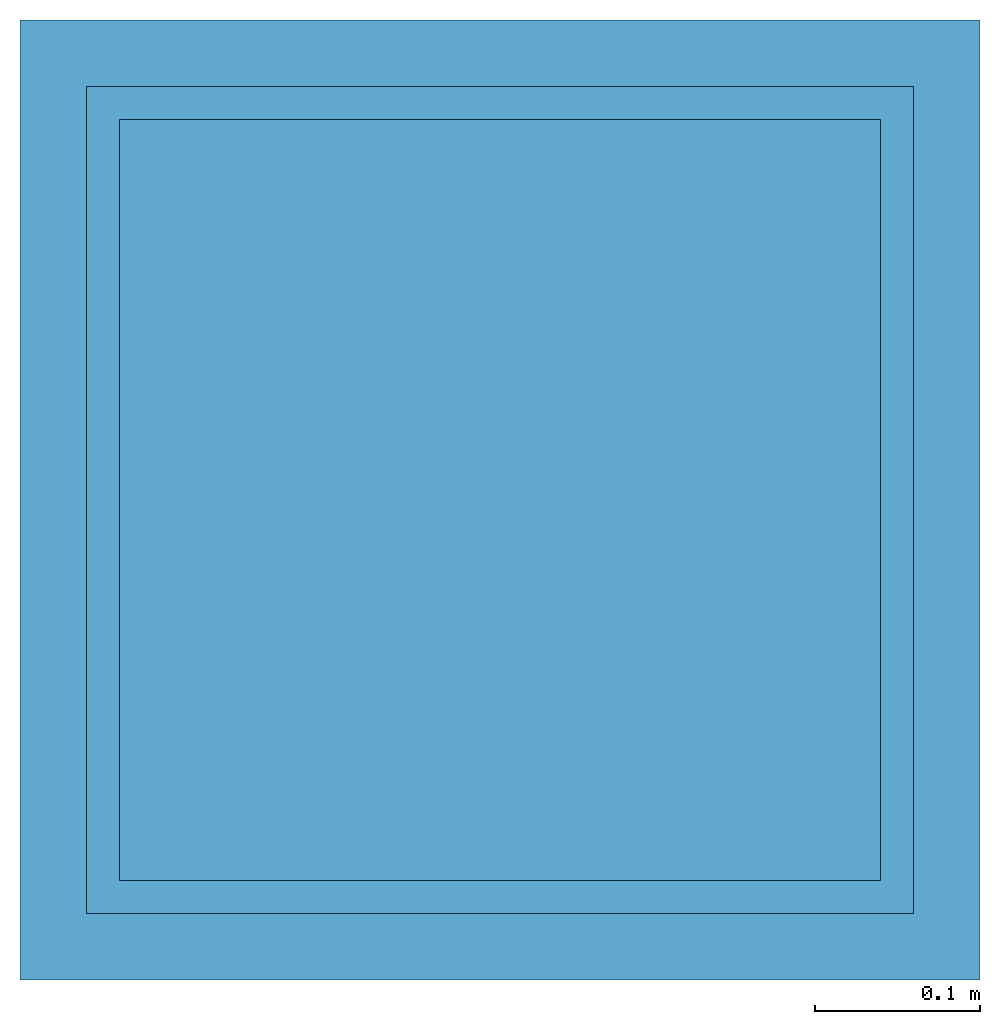
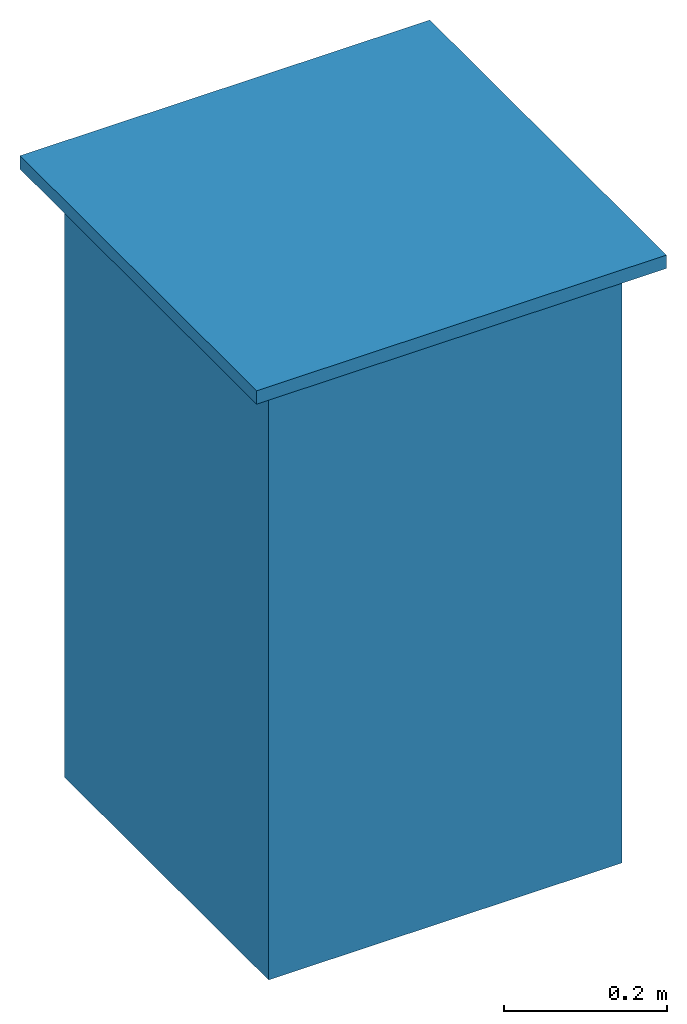
# One storey: 1 discrete accessory, 1 member.
"""IFC4 building model written with IfcOpenShell, lengths in metres."""

import ifcopenshell
import ifcopenshell.guid

model = None  # the IFC model being written
_history = None  # IfcOwnerHistory: only IFC2X3 demands one
_inside = {}  # id of a spatial element -> (the spatial element, [elements in it])
_under = {}  # id of a project, library or spatial element -> (it, [spatial elements below it])
_declared = {}  # id of a project -> (the project, [libraries it declares])
_typed = {}  # id of a type object -> (the type object, [elements of that type])
_made_of = {}  # id of a material, layer set ... -> (it, [elements and type objects made of it])


def new_model(schema):
    """Start an empty IFC model of exactly this schema.

    Asked for "IFC4X3", IfcOpenShell would pick the latest addendum, in which some entities
    have other attributes; the version numbers below select the first issue.
    IFC2X3 requires an IfcOwnerHistory on every rooted entity: one is made here for all.
    """
    global model, _history
    if schema == "IFC4X3":
        model = ifcopenshell.file(schema_version=(4, 3, 0, 0))
    else:
        model = ifcopenshell.file(schema=schema)
    _inside.clear()
    _under.clear()
    _declared.clear()
    _typed.clear()
    _made_of.clear()
    _history = None
    if model.schema == "IFC2X3":
        org = make("IfcOrganization", Name="unknown")
        user = make(
            "IfcPersonAndOrganization",
            ThePerson=make("IfcPerson", FamilyName="unknown"),
            TheOrganization=org,
        )
        app = make(
            "IfcApplication",
            ApplicationDeveloper=org,
            Version="unknown",
            ApplicationFullName="unknown",
            ApplicationIdentifier="unknown",
        )
        _history = make(
            "IfcOwnerHistory",
            OwningUser=user,
            OwningApplication=app,
            ChangeAction="ADDED",
            CreationDate=0,
        )
    return model


def make(cls, **values):
    """One entity of the class cls with the attributes given. An attribute that is None is left unset."""
    return model.create_entity(
        cls, **{name: value for name, value in values.items() if value is not None}
    )


def rooted(cls, **values):
    """An entity with a GlobalId (a new one), such as an element, a storey or a relation."""
    return make(cls, GlobalId=ifcopenshell.guid.new(), OwnerHistory=_history, **values)


def si_unit(unit_type, name, prefix=None):
    """IfcSIUnit, for example si_unit("LENGTHUNIT", "METRE", prefix="MILLI")."""
    return make("IfcSIUnit", UnitType=unit_type, Prefix=prefix, Name=name)


def assignment(units):
    """IfcUnitAssignment: the units of a project."""
    return None if units is None else make("IfcUnitAssignment", Units=units)


def point(xyz):
    """IfcCartesianPoint."""
    return None if xyz is None else make("IfcCartesianPoint", Coordinates=xyz)


def direction(xyz):
    """IfcDirection."""
    return None if xyz is None else make("IfcDirection", DirectionRatios=xyz)


def frame(location, z_axis=None, x_axis=None):
    """IfcAxis2Placement3D, a coordinate frame: its origin and axes. An axis left out is left unset."""
    return make(
        "IfcAxis2Placement3D",
        Location=point(location),
        Axis=direction(z_axis),
        RefDirection=direction(x_axis),
    )


def frame_2d(location, x_axis=None):
    """IfcAxis2Placement2D, a coordinate frame in the plane: its origin and x axis."""
    return make(
        "IfcAxis2Placement2D", Location=point(location), RefDirection=direction(x_axis)
    )


def origin():
    """The frame at (0, 0, 0) with its axes left unset."""
    return frame((0.0, 0.0, 0.0))


def origin_2d():
    """The frame at (0, 0) in the plane with its x axis left unset."""
    return frame_2d((0.0, 0.0))


def place(relative_to, where):
    """IfcLocalPlacement: puts the frame where relative to a parent placement (None: the world)."""
    return make(
        "IfcLocalPlacement", PlacementRelTo=relative_to, RelativePlacement=where
    )


def context(
    kind, dimensions, precision=None, world=None, true_north=None, identifier=None
):
    """IfcGeometricRepresentationContext, for example the 3D "Model" context."""
    return make(
        "IfcGeometricRepresentationContext",
        ContextIdentifier=identifier,
        ContextType=kind,
        CoordinateSpaceDimension=dimensions,
        Precision=precision,
        WorldCoordinateSystem=world,
        TrueNorth=true_north,
    )


def subcontext(parent, identifier, kind, view, scale=None):
    """IfcGeometricRepresentationSubContext, for example "Body" below "Model"."""
    return make(
        "IfcGeometricRepresentationSubContext",
        ContextIdentifier=identifier,
        ContextType=kind,
        ParentContext=parent,
        TargetScale=scale,
        TargetView=view,
    )


def project(units=None, contexts=None):
    """IfcProject with its units and contexts."""
    return rooted(
        "IfcProject",
        Name="project",
        RepresentationContexts=contexts,
        UnitsInContext=assignment(units),
    )


def spatial(cls, under=None, at=None, **own):
    """A site, building, storey or space (cls), placed at a placement, below another one or the project."""
    s = rooted(cls, ObjectPlacement=at, **own)
    if under is not None:
        _under.setdefault(under.id(), (under, []))[1].append(s)
    return s


def profile(cls, at=None, kind="AREA", **sizes):
    """A parametric profile (cls). Its sizes go by their IFC names, for example OverallWidth=200.0."""
    return make(cls, ProfileType=kind, Position=at, **sizes)


def rectangle(**sizes):
    """IfcRectangleProfileDef."""
    return profile("IfcRectangleProfileDef", **sizes)


def hollow_rectangle(**sizes):
    """IfcRectangleHollowProfileDef."""
    return profile("IfcRectangleHollowProfileDef", **sizes)


def extrude(swept, where, along, depth):
    """IfcExtrudedAreaSolid: the profile swept, set in the frame where, extruded along a direction by depth."""
    return make(
        "IfcExtrudedAreaSolid",
        SweptArea=swept,
        Position=where,
        ExtrudedDirection=direction(along),
        Depth=depth,
    )


def shape(context_of_items, identifier, shape_type, items):
    """IfcShapeRepresentation: the items that make up one representation, for example the "Body"."""
    return make(
        "IfcShapeRepresentation",
        ContextOfItems=context_of_items,
        RepresentationIdentifier=identifier,
        RepresentationType=shape_type,
        Items=items,
    )


def material(Name=None, Category=None):
    """IfcMaterial."""
    return make("IfcMaterial", Name=Name, Category=Category)


def layer(
    of_material, thickness, ventilated=None, Name=None, Category=None, Priority=None
):
    """IfcMaterialLayer: one layer of a wall or slab, of a material (None: an air gap)."""
    return make(
        "IfcMaterialLayer",
        Material=of_material,
        LayerThickness=thickness,
        IsVentilated=ventilated,
        Name=Name,
        Category=Category,
        Priority=Priority,
    )


def layer_set(layers, Name=None):
    """IfcMaterialLayerSet."""
    return make("IfcMaterialLayerSet", MaterialLayers=layers, LayerSetName=Name)


def material_profile(
    of_material, cross_section, Name=None, Category=None, Priority=None
):
    """IfcMaterialProfile: a cross section and its material."""
    return make(
        "IfcMaterialProfile",
        Name=Name,
        Material=of_material,
        Profile=cross_section,
        Priority=Priority,
        Category=Category,
    )


def profile_set(profiles, Name=None, composite=None):
    """IfcMaterialProfileSet."""
    return make(
        "IfcMaterialProfileSet",
        Name=Name,
        MaterialProfiles=profiles,
        CompositeProfile=composite,
    )


def made_of(thing, what):
    """Note that an element or type object is made of a material, layer set ...; save() writes the relation."""
    if what is not None:
        _made_of.setdefault(what.id(), (what, []))[1].append(thing)
    return thing


def type_object(cls, material=None, **own):
    """A type object (cls), such as IfcWallType, which elements share."""
    return made_of(rooted(cls, **own), material)


def element(
    cls,
    number,
    at=None,
    inside=None,
    cuts=None,
    type_object=None,
    material=None,
    context=None,
    identifier="Body",
    shape_type=None,
    held_by="IfcProductDefinitionShape",
    body=None,
    shapes=None,
    **own,
):
    """One element of the class cls, such as IfcWall. Its Tag is "e" and its number.

    at: its placement. inside: the storey or other place that contains it. cuts: it is an
    opening in that element (IfcRelVoidsElement). A single representation is given by context,
    identifier, shape_type and body (its items); several are given by shapes. held_by: the class
    of the entity that holds the representations. save() writes the other relations.
    """
    e = rooted(cls, Tag="e%d" % number, ObjectPlacement=at, **own)
    if body is not None:
        shapes = [shape(context, identifier, shape_type, body)]
    if shapes is not None:
        e.Representation = make(held_by, Representations=shapes)
    if inside is not None:
        _inside.setdefault(inside.id(), (inside, []))[1].append(e)
    if cuts is not None:
        rooted(
            "IfcRelVoidsElement", RelatingBuildingElement=cuts, RelatedOpeningElement=e
        )
    if type_object is not None:
        _typed.setdefault(type_object.id(), (type_object, []))[1].append(e)
    return made_of(e, material)


def aggregate(whole, parts):
    """IfcRelAggregates: a whole, such as a stair, and the parts it consists of."""
    return rooted("IfcRelAggregates", RelatingObject=whole, RelatedObjects=parts)


def save(model, path):
    """Write the relations noted so far, then the file.

    IfcRelAggregates (storeys below a building ...), IfcRelContainedInSpatialStructure (elements
    in a storey), IfcRelDefinesByType, IfcRelAssociatesMaterial and IfcRelDeclares: one each for
    every whole, place, type object, material and project.
    """
    for whole, parts in _under.values():
        aggregate(whole, parts)
    for where, things in _inside.values():
        rooted(
            "IfcRelContainedInSpatialStructure",
            RelatedElements=things,
            RelatingStructure=where,
        )
    for kind, things in _typed.values():
        rooted("IfcRelDefinesByType", RelatedObjects=things, RelatingType=kind)
    for what, things in _made_of.values():
        rooted("IfcRelAssociatesMaterial", RelatedObjects=things, RelatingMaterial=what)
    for by, libraries in _declared.values():
        rooted("IfcRelDeclares", RelatingContext=by, RelatedDefinitions=libraries)
    model.write(path)


model = new_model("IFC4")

# Units and contexts
model_context = context("Model", 3, precision=1e-05, world=origin(), true_north=direction((0.0, 1.0)))
body_context = subcontext(model_context, "Body", "Model", "MODEL_VIEW")
ifc_project = project(units=[si_unit("LENGTHUNIT", "METRE"), si_unit("AREAUNIT", "SQUARE_METRE"), si_unit("VOLUMEUNIT", "CUBIC_METRE"), si_unit("PLANEANGLEUNIT", "RADIAN"), si_unit("MASSUNIT", "GRAM", prefix="KILO")], contexts=[model_context])

# Site, building, storey
site_placement = place(None, origin())
site = spatial("IfcSite", under=ifc_project, at=site_placement, CompositionType="ELEMENT")
building_placement = place(site_placement, origin())
building = spatial("IfcBuilding", under=site, at=building_placement, Name="Apuvela Tower Hotel", CompositionType="ELEMENT")
storey_placement = place(building_placement, frame((0.0, 0.0, 380.300048828125)))
storey = spatial("IfcBuildingStorey", under=building, at=storey_placement, Name="ROOF", CompositionType="ELEMENT", Elevation=380.300048828125)

# Member
ifc_material_1 = material(Name="Steel S355, dark grey paint system", Category="steel")
ifc_material_profile = material_profile(ifc_material_1, hollow_rectangle(XDim=0.5, YDim=0.5, WallThickness=0.02001953125, at=origin_2d()), Name="HSS 500x500x20")
ifc_profile_set = profile_set([ifc_material_profile], Name="Steel S355, dark grey paint system")
member_type = type_object("IfcMemberType", Name="ENV-CROWN-NODE-500x500", PredefinedType="POST", material=ifc_profile_set)
member_placement = place(storey_placement, frame((0.0, 0.0, -1.219970703125), z_axis=(0.0, 0.0, 1.0), x_axis=(1.0, 0.0, 0.0)))
element("IfcMember", 1, at=member_placement, inside=storey, type_object=member_type, Name="Crown apex node", PredefinedType="POST", context=body_context, shape_type="SweptSolid", body=[
    extrude(hollow_rectangle(XDim=0.5, YDim=0.5, WallThickness=0.02001953125, at=origin_2d()), origin(), (0.0, 0.0, 1.0), 0.89990234375),
])

# Discrete accessory
ifc_material_2 = material(Name="Steel S355", Category="steel")
ifc_layer = layer(ifc_material_2, 0.02001953125)
ifc_layer_set = layer_set([ifc_layer], Name="STR-EP end plate 20")
discrete_accessory_type = type_object("IfcDiscreteAccessoryType", Name="STR-EP end plate 20", PredefinedType="BRACKET", material=ifc_layer_set)
discrete_accessory_placement = place(storey_placement, frame((0.0, 0.0, -0.320068359375), z_axis=(0.0, 0.0, 1.0), x_axis=(1.0, 0.0, 0.0)))
element("IfcDiscreteAccessory", 2, at=discrete_accessory_placement, inside=storey, type_object=discrete_accessory_type, Name="End plate EP crown apex node top", PredefinedType="BRACKET", context=body_context, shape_type="SweptSolid", body=[
    extrude(rectangle(XDim=0.580078125, YDim=0.580078125, at=origin_2d()), origin(), (0.0, 0.0, 1.0), 0.02001953125),
])

save(model, "model.ifc")
